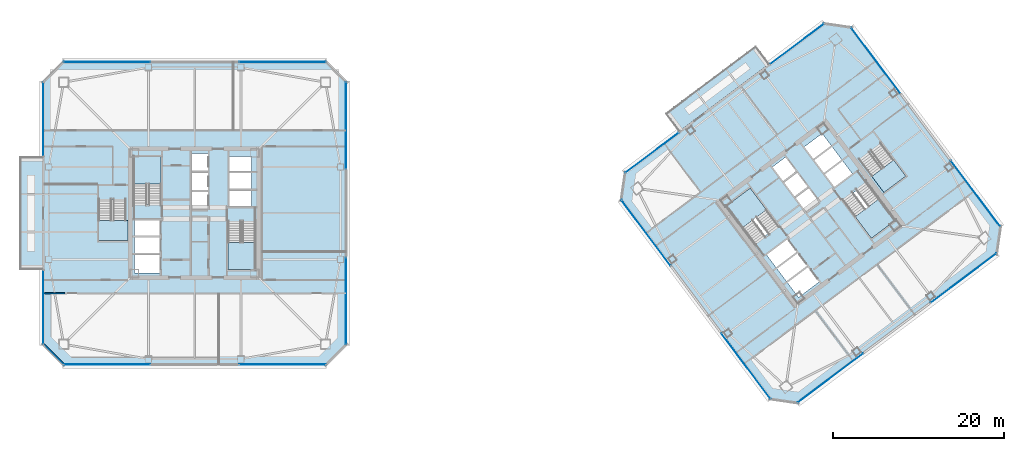
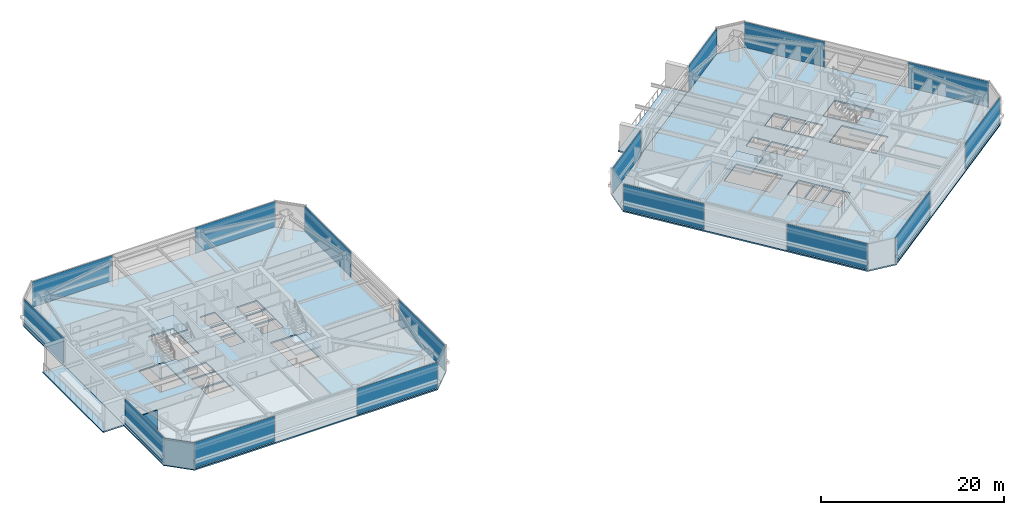
# One storey, part 30 of 41: 16 plates, 10 slabs, 2 walls, 22 elements without a shape of their own.
"""IFC4 building model written with IfcOpenShell, lengths in metres."""

import ifcopenshell
import ifcopenshell.guid

model = None  # the IFC model being written
_history = None  # IfcOwnerHistory: only IFC2X3 demands one
_inside = {}  # id of a spatial element -> (the spatial element, [elements in it])
_under = {}  # id of a project, library or spatial element -> (it, [spatial elements below it])
_declared = {}  # id of a project -> (the project, [libraries it declares])
_typed = {}  # id of a type object -> (the type object, [elements of that type])
_made_of = {}  # id of a material, layer set ... -> (it, [elements and type objects made of it])


def new_model(schema):
    """Start an empty IFC model of exactly this schema.

    Asked for "IFC4X3", IfcOpenShell would pick the latest addendum, in which some entities
    have other attributes; the version numbers below select the first issue.
    IFC2X3 requires an IfcOwnerHistory on every rooted entity: one is made here for all.
    """
    global model, _history
    if schema == "IFC4X3":
        model = ifcopenshell.file(schema_version=(4, 3, 0, 0))
    else:
        model = ifcopenshell.file(schema=schema)
    _inside.clear()
    _under.clear()
    _declared.clear()
    _typed.clear()
    _made_of.clear()
    _history = None
    if model.schema == "IFC2X3":
        org = make("IfcOrganization", Name="unknown")
        user = make(
            "IfcPersonAndOrganization",
            ThePerson=make("IfcPerson", FamilyName="unknown"),
            TheOrganization=org,
        )
        app = make(
            "IfcApplication",
            ApplicationDeveloper=org,
            Version="unknown",
            ApplicationFullName="unknown",
            ApplicationIdentifier="unknown",
        )
        _history = make(
            "IfcOwnerHistory",
            OwningUser=user,
            OwningApplication=app,
            ChangeAction="ADDED",
            CreationDate=0,
        )
    return model


def make(cls, **values):
    """One entity of the class cls with the attributes given. An attribute that is None is left unset."""
    return model.create_entity(
        cls, **{name: value for name, value in values.items() if value is not None}
    )


def rooted(cls, **values):
    """An entity with a GlobalId (a new one), such as an element, a storey or a relation."""
    return make(cls, GlobalId=ifcopenshell.guid.new(), OwnerHistory=_history, **values)


def si_unit(unit_type, name, prefix=None):
    """IfcSIUnit, for example si_unit("LENGTHUNIT", "METRE", prefix="MILLI")."""
    return make("IfcSIUnit", UnitType=unit_type, Prefix=prefix, Name=name)


def assignment(units):
    """IfcUnitAssignment: the units of a project."""
    return None if units is None else make("IfcUnitAssignment", Units=units)


def point(xyz):
    """IfcCartesianPoint."""
    return None if xyz is None else make("IfcCartesianPoint", Coordinates=xyz)


def direction(xyz):
    """IfcDirection."""
    return None if xyz is None else make("IfcDirection", DirectionRatios=xyz)


def frame(location, z_axis=None, x_axis=None):
    """IfcAxis2Placement3D, a coordinate frame: its origin and axes. An axis left out is left unset."""
    return make(
        "IfcAxis2Placement3D",
        Location=point(location),
        Axis=direction(z_axis),
        RefDirection=direction(x_axis),
    )


def frame_2d(location, x_axis=None):
    """IfcAxis2Placement2D, a coordinate frame in the plane: its origin and x axis."""
    return make(
        "IfcAxis2Placement2D", Location=point(location), RefDirection=direction(x_axis)
    )


def origin():
    """The frame at (0, 0, 0) with its axes left unset."""
    return frame((0.0, 0.0, 0.0))


def origin_2d():
    """The frame at (0, 0) in the plane with its x axis left unset."""
    return frame_2d((0.0, 0.0))


def place(relative_to, where):
    """IfcLocalPlacement: puts the frame where relative to a parent placement (None: the world)."""
    return make(
        "IfcLocalPlacement", PlacementRelTo=relative_to, RelativePlacement=where
    )


def context(
    kind, dimensions, precision=None, world=None, true_north=None, identifier=None
):
    """IfcGeometricRepresentationContext, for example the 3D "Model" context."""
    return make(
        "IfcGeometricRepresentationContext",
        ContextIdentifier=identifier,
        ContextType=kind,
        CoordinateSpaceDimension=dimensions,
        Precision=precision,
        WorldCoordinateSystem=world,
        TrueNorth=true_north,
    )


def subcontext(parent, identifier, kind, view, scale=None):
    """IfcGeometricRepresentationSubContext, for example "Body" below "Model"."""
    return make(
        "IfcGeometricRepresentationSubContext",
        ContextIdentifier=identifier,
        ContextType=kind,
        ParentContext=parent,
        TargetScale=scale,
        TargetView=view,
    )


def project(units=None, contexts=None):
    """IfcProject with its units and contexts."""
    return rooted(
        "IfcProject",
        Name="project",
        RepresentationContexts=contexts,
        UnitsInContext=assignment(units),
    )


def spatial(cls, under=None, at=None, **own):
    """A site, building, storey or space (cls), placed at a placement, below another one or the project."""
    s = rooted(cls, ObjectPlacement=at, **own)
    if under is not None:
        _under.setdefault(under.id(), (under, []))[1].append(s)
    return s


def polyline(points):
    """IfcPolyline through the points."""
    return make("IfcPolyline", Points=[point(p) for p in points])


def profile(cls, at=None, kind="AREA", **sizes):
    """A parametric profile (cls). Its sizes go by their IFC names, for example OverallWidth=200.0."""
    return make(cls, ProfileType=kind, Position=at, **sizes)


def rectangle(**sizes):
    """IfcRectangleProfileDef."""
    return profile("IfcRectangleProfileDef", **sizes)


def outline(outer, holes=None, kind="AREA"):
    """IfcArbitraryClosedProfileDef: a profile drawn as a closed curve; with holes, ...WithVoids."""
    if holes is None:
        return make("IfcArbitraryClosedProfileDef", ProfileType=kind, OuterCurve=outer)
    return make(
        "IfcArbitraryProfileDefWithVoids",
        ProfileType=kind,
        OuterCurve=outer,
        InnerCurves=holes,
    )


def extrude(swept, where, along, depth):
    """IfcExtrudedAreaSolid: the profile swept, set in the frame where, extruded along a direction by depth."""
    return make(
        "IfcExtrudedAreaSolid",
        SweptArea=swept,
        Position=where,
        ExtrudedDirection=direction(along),
        Depth=depth,
    )


def shape(context_of_items, identifier, shape_type, items):
    """IfcShapeRepresentation: the items that make up one representation, for example the "Body"."""
    return make(
        "IfcShapeRepresentation",
        ContextOfItems=context_of_items,
        RepresentationIdentifier=identifier,
        RepresentationType=shape_type,
        Items=items,
    )


def material(Name=None, Category=None):
    """IfcMaterial."""
    return make("IfcMaterial", Name=Name, Category=Category)


def layer(
    of_material, thickness, ventilated=None, Name=None, Category=None, Priority=None
):
    """IfcMaterialLayer: one layer of a wall or slab, of a material (None: an air gap)."""
    return make(
        "IfcMaterialLayer",
        Material=of_material,
        LayerThickness=thickness,
        IsVentilated=ventilated,
        Name=Name,
        Category=Category,
        Priority=Priority,
    )


def layer_set(layers, Name=None):
    """IfcMaterialLayerSet."""
    return make("IfcMaterialLayerSet", MaterialLayers=layers, LayerSetName=Name)


def made_of(thing, what):
    """Note that an element or type object is made of a material, layer set ...; save() writes the relation."""
    if what is not None:
        _made_of.setdefault(what.id(), (what, []))[1].append(thing)
    return thing


def type_object(cls, material=None, **own):
    """A type object (cls), such as IfcWallType, which elements share."""
    return made_of(rooted(cls, **own), material)


def element(
    cls,
    number,
    at=None,
    inside=None,
    cuts=None,
    type_object=None,
    material=None,
    context=None,
    identifier="Body",
    shape_type=None,
    held_by="IfcProductDefinitionShape",
    body=None,
    shapes=None,
    **own,
):
    """One element of the class cls, such as IfcWall. Its Tag is "e" and its number.

    at: its placement. inside: the storey or other place that contains it. cuts: it is an
    opening in that element (IfcRelVoidsElement). A single representation is given by context,
    identifier, shape_type and body (its items); several are given by shapes. held_by: the class
    of the entity that holds the representations. save() writes the other relations.
    """
    e = rooted(cls, Tag="e%d" % number, ObjectPlacement=at, **own)
    if body is not None:
        shapes = [shape(context, identifier, shape_type, body)]
    if shapes is not None:
        e.Representation = make(held_by, Representations=shapes)
    if inside is not None:
        _inside.setdefault(inside.id(), (inside, []))[1].append(e)
    if cuts is not None:
        rooted(
            "IfcRelVoidsElement", RelatingBuildingElement=cuts, RelatedOpeningElement=e
        )
    if type_object is not None:
        _typed.setdefault(type_object.id(), (type_object, []))[1].append(e)
    return made_of(e, material)


def aggregate(whole, parts):
    """IfcRelAggregates: a whole, such as a stair, and the parts it consists of."""
    return rooted("IfcRelAggregates", RelatingObject=whole, RelatedObjects=parts)


def save(model, path):
    """Write the relations noted so far, then the file.

    IfcRelAggregates (storeys below a building ...), IfcRelContainedInSpatialStructure (elements
    in a storey), IfcRelDefinesByType, IfcRelAssociatesMaterial and IfcRelDeclares: one each for
    every whole, place, type object, material and project.
    """
    for whole, parts in _under.values():
        aggregate(whole, parts)
    for where, things in _inside.values():
        rooted(
            "IfcRelContainedInSpatialStructure",
            RelatedElements=things,
            RelatingStructure=where,
        )
    for kind, things in _typed.values():
        rooted("IfcRelDefinesByType", RelatedObjects=things, RelatingType=kind)
    for what, things in _made_of.values():
        rooted("IfcRelAssociatesMaterial", RelatedObjects=things, RelatingMaterial=what)
    for by, libraries in _declared.values():
        rooted("IfcRelDeclares", RelatingContext=by, RelatedDefinitions=libraries)
    model.write(path)


model = new_model("IFC4")

# Units and contexts
model_context = context("Model", 3, precision=1e-05, world=origin(), true_north=direction((0.0, 1.0)))
body_context = subcontext(model_context, "Body", "Model", "MODEL_VIEW")
ifc_project = project(units=[si_unit("LENGTHUNIT", "METRE"), si_unit("AREAUNIT", "SQUARE_METRE"), si_unit("VOLUMEUNIT", "CUBIC_METRE"), si_unit("PLANEANGLEUNIT", "RADIAN"), si_unit("MASSUNIT", "GRAM", prefix="KILO")], contexts=[model_context])

# Site, building, storey
site_placement = place(None, origin())
site = spatial("IfcSite", under=ifc_project, at=site_placement, CompositionType="ELEMENT")
building_placement = place(site_placement, origin())
building = spatial("IfcBuilding", under=site, at=building_placement, Name="Tashvorn Skyway Center", CompositionType="ELEMENT")
storey_placement = place(building_placement, frame((0.0, 0.0, 192.5)))
storey = spatial("IfcBuildingStorey", under=building, at=storey_placement, Name="L52", CompositionType="ELEMENT", Elevation=192.5)

# Curtain wall, plate
ifc_material_1 = material(Name="Thermally broken bronze-anodized aluminium 6063-T6", Category="aluminium")
curtain_wall_type = type_object("IfcCurtainWallType", Name="CW-CW-Z4", PredefinedType="NOTDEFINED", material=ifc_material_1)
curtain_wall_1_placement = place(storey_placement, origin())
curtain_wall_1 = element("IfcCurtainWall", 1, at=curtain_wall_1_placement, inside=storey, type_object=curtain_wall_type, Name="Tower 1 L52 South Unitised Curtain Wall Glazing Group 1", PredefinedType="NOTDEFINED")
ifc_material_2 = material(Name="Low-E solar-control double insulating safety glass", Category="glass")
ifc_layer_1 = layer(ifc_material_2, 0.035888671875)
ifc_layer_set_1 = layer_set([ifc_layer_1], Name="Low-E solar-control double insulating safety glass")
plate_type = type_object("IfcPlateType", Name="CWP-CW-Z4", PredefinedType="CURTAIN_PANEL", material=ifc_layer_set_1)
plate_1_placement = place(storey_placement, frame((52.25341796875, 14.320068359375, 0.06982421875), z_axis=(0.0, 0.0, 1.0), x_axis=(-1.0, 0.0, 0.0)))
plate_1 = element("IfcPlate", 2, at=plate_1_placement, type_object=plate_type, Name="CW-Z4 panel 1.1", PredefinedType="CURTAIN_PANEL", context=body_context, shape_type="SweptSolid", body=[
    extrude(rectangle(XDim=10.11328125, YDim=0.035888671875, at=origin_2d()), origin(), (0.0, 0.0, 1.0), 3.409912109375),
])
aggregate(curtain_wall_1, [plate_1])

curtain_wall_2_placement = place(storey_placement, origin())
curtain_wall_2 = element("IfcCurtainWall", 3, at=curtain_wall_2_placement, inside=storey, type_object=curtain_wall_type, Name="Tower 1 L52 South Unitised Curtain Wall Glazing Group 2", PredefinedType="NOTDEFINED")
plate_2_placement = place(storey_placement, frame((31.74658203125, 14.320068359375, 0.06982421875), z_axis=(0.0, 0.0, 1.0), x_axis=(-1.0, 0.0, 0.0)))
plate_2 = element("IfcPlate", 4, at=plate_2_placement, type_object=plate_type, Name="CW-Z4 panel 1.1", PredefinedType="CURTAIN_PANEL", context=body_context, shape_type="SweptSolid", body=[
    extrude(rectangle(XDim=10.11328125, YDim=0.035888671875, at=origin_2d()), origin(), (0.0, 0.0, 1.0), 3.409912109375),
])
aggregate(curtain_wall_2, [plate_2])

curtain_wall_3_placement = place(storey_placement, origin())
curtain_wall_3 = element("IfcCurtainWall", 5, at=curtain_wall_3_placement, inside=storey, type_object=curtain_wall_type, Name="Tower 1 L52 West Curtain Wall L", PredefinedType="NOTDEFINED")
plate_3_placement = place(storey_placement, frame((24.320068359375, 21.010009765625, 0.06982421875), z_axis=(0.0, 0.0, 1.0), x_axis=(0.0, 1.0, 0.0)))
plate_3 = element("IfcPlate", 6, at=plate_3_placement, type_object=plate_type, Name="CW-Z4 panel 1.1", PredefinedType="CURTAIN_PANEL", context=body_context, shape_type="SweptSolid", body=[
    extrude(rectangle(XDim=8.639892578125, YDim=0.035888671875, at=origin_2d()), origin(), (0.0, 0.0, 1.0), 3.409912109375),
])
aggregate(curtain_wall_3, [plate_3])

curtain_wall_4_placement = place(storey_placement, origin())
curtain_wall_4 = element("IfcCurtainWall", 7, at=curtain_wall_4_placement, inside=storey, type_object=curtain_wall_type, Name="Tower 1 L52 West Curtain Wall R", PredefinedType="NOTDEFINED")
plate_4_placement = place(storey_placement, frame((24.320068359375, 42.989990234375, 0.06982421875), z_axis=(0.0, 0.0, 1.0), x_axis=(0.0, 1.0, 0.0)))
plate_4 = element("IfcPlate", 8, at=plate_4_placement, type_object=plate_type, Name="CW-Z4 panel 1.1", PredefinedType="CURTAIN_PANEL", context=body_context, shape_type="SweptSolid", body=[
    extrude(rectangle(XDim=8.639892578125, YDim=0.035888671875, at=origin_2d()), origin(), (0.0, 0.0, 1.0), 3.409912109375),
])
aggregate(curtain_wall_4, [plate_4])

curtain_wall_5_placement = place(storey_placement, origin())
curtain_wall_5 = element("IfcCurtainWall", 9, at=curtain_wall_5_placement, inside=storey, type_object=curtain_wall_type, Name="Tower 1 L52 North Unitised Curtain Wall Glazing Group 1", PredefinedType="NOTDEFINED")
plate_5_placement = place(storey_placement, frame((31.74658203125, 49.679931640625, 0.06982421875), z_axis=(0.0, 0.0, 1.0), x_axis=(1.0, 0.0, 0.0)))
plate_5 = element("IfcPlate", 10, at=plate_5_placement, type_object=plate_type, Name="CW-Z4 panel 1.1", PredefinedType="CURTAIN_PANEL", context=body_context, shape_type="SweptSolid", body=[
    extrude(rectangle(XDim=10.11328125, YDim=0.035888671875, at=origin_2d()), origin(), (0.0, 0.0, 1.0), 3.409912109375),
])
aggregate(curtain_wall_5, [plate_5])

curtain_wall_6_placement = place(storey_placement, origin())
curtain_wall_6 = element("IfcCurtainWall", 11, at=curtain_wall_6_placement, inside=storey, type_object=curtain_wall_type, Name="Tower 1 L52 North Unitised Curtain Wall Glazing Group 2", PredefinedType="NOTDEFINED")
plate_6_placement = place(storey_placement, frame((52.25341796875, 49.679931640625, 0.06982421875), z_axis=(0.0, 0.0, 1.0), x_axis=(1.0, 0.0, 0.0)))
plate_6 = element("IfcPlate", 12, at=plate_6_placement, type_object=plate_type, Name="CW-Z4 panel 1.1", PredefinedType="CURTAIN_PANEL", context=body_context, shape_type="SweptSolid", body=[
    extrude(rectangle(XDim=10.11328125, YDim=0.035888671875, at=origin_2d()), origin(), (0.0, 0.0, 1.0), 3.409912109375),
])
aggregate(curtain_wall_6, [plate_6])

curtain_wall_7_placement = place(storey_placement, origin())
curtain_wall_7 = element("IfcCurtainWall", 13, at=curtain_wall_7_placement, inside=storey, type_object=curtain_wall_type, Name="Tower 1 L52 East Unitised Curtain Wall Glazing Group 1", PredefinedType="NOTDEFINED")
plate_7_placement = place(storey_placement, frame((59.679931640625, 42.25341796875, 0.06982421875), z_axis=(0.0, 0.0, 1.0), x_axis=(0.0, -1.0, 0.0)))
plate_7 = element("IfcPlate", 14, at=plate_7_placement, type_object=plate_type, Name="CW-Z4 panel 1.1", PredefinedType="CURTAIN_PANEL", context=body_context, shape_type="SweptSolid", body=[
    extrude(rectangle(XDim=10.11328125, YDim=0.035888671875, at=origin_2d()), origin(), (0.0, 0.0, 1.0), 3.409912109375),
])
aggregate(curtain_wall_7, [plate_7])

curtain_wall_8_placement = place(storey_placement, origin())
curtain_wall_8 = element("IfcCurtainWall", 15, at=curtain_wall_8_placement, inside=storey, type_object=curtain_wall_type, Name="Tower 1 L52 East Unitised Curtain Wall Glazing Group 2", PredefinedType="NOTDEFINED")
plate_8_placement = place(storey_placement, frame((59.679931640625, 21.74658203125, 0.06982421875), z_axis=(0.0, 0.0, 1.0), x_axis=(0.0, -1.0, 0.0)))
plate_8 = element("IfcPlate", 16, at=plate_8_placement, type_object=plate_type, Name="CW-Z4 panel 1.1", PredefinedType="CURTAIN_PANEL", context=body_context, shape_type="SweptSolid", body=[
    extrude(rectangle(XDim=10.11328125, YDim=0.035888671875, at=origin_2d()), origin(), (0.0, 0.0, 1.0), 3.409912109375),
])
aggregate(curtain_wall_8, [plate_8])

curtain_wall_9_placement = place(storey_placement, origin())
curtain_wall_9 = element("IfcCurtainWall", 17, at=curtain_wall_9_placement, inside=storey, type_object=curtain_wall_type, Name="Tower 2 L52 South Unitised Curtain Wall Glazing Group 1", PredefinedType="NOTDEFINED")
plate_9_placement = place(storey_placement, frame((131.843994140625, 24.407958984375, 0.06982421875), z_axis=(0.0, 0.0, 1.0), x_axis=(-0.799999999998, -0.600000000002, 0.0)))
plate_9 = element("IfcPlate", 18, at=plate_9_placement, type_object=plate_type, Name="CW-Z4 panel 1.1", PredefinedType="CURTAIN_PANEL", context=body_context, shape_type="SweptSolid", body=[
    extrude(rectangle(XDim=9.580078125, YDim=0.035888671875, at=origin_2d()), origin(), (0.0, 0.0, 1.0), 3.409912109375),
])
aggregate(curtain_wall_9, [plate_9])

curtain_wall_10_placement = place(storey_placement, origin())
curtain_wall_10 = element("IfcCurtainWall", 19, at=curtain_wall_10_placement, inside=storey, type_object=curtain_wall_type, Name="Tower 2 L52 South Unitised Curtain Wall Glazing Group 2", PredefinedType="NOTDEFINED")
plate_10_placement = place(storey_placement, frame((116.2919921875, 12.743896484375, 0.06982421875), z_axis=(0.0, 0.0, 1.0), x_axis=(-0.799999999998, -0.600000000002, 0.0)))
plate_10 = element("IfcPlate", 20, at=plate_10_placement, type_object=plate_type, Name="CW-Z4 panel 1.1", PredefinedType="CURTAIN_PANEL", context=body_context, shape_type="SweptSolid", body=[
    extrude(rectangle(XDim=9.580078125, YDim=0.035888671875, at=origin_2d()), origin(), (0.0, 0.0, 1.0), 3.409912109375),
])
aggregate(curtain_wall_10, [plate_10])

curtain_wall_11_placement = place(storey_placement, origin())
curtain_wall_11 = element("IfcCurtainWall", 21, at=curtain_wall_11_placement, inside=storey, type_object=curtain_wall_type, Name="Tower 2 L52 West Unitised Curtain Wall Glazing Group 1", PredefinedType="NOTDEFINED")
plate_11_placement = place(storey_placement, frame((106.407958984375, 14.156005859375, 0.06982421875), z_axis=(0.0, 0.0, 1.0), x_axis=(-0.600000000002, 0.799999999998, 0.0)))
plate_11 = element("IfcPlate", 22, at=plate_11_placement, type_object=plate_type, Name="CW-Z4 panel 1.1", PredefinedType="CURTAIN_PANEL", context=body_context, shape_type="SweptSolid", body=[
    extrude(rectangle(XDim=9.580078125, YDim=0.035888671875, at=origin_2d()), origin(), (0.0, 0.0, 1.0), 3.409912109375),
])
aggregate(curtain_wall_11, [plate_11])

curtain_wall_12_placement = place(storey_placement, origin())
curtain_wall_12 = element("IfcCurtainWall", 23, at=curtain_wall_12_placement, inside=storey, type_object=curtain_wall_type, Name="Tower 2 L52 West Unitised Curtain Wall Glazing Group 2", PredefinedType="NOTDEFINED")
plate_12_placement = place(storey_placement, frame((94.743896484375, 29.7080078125, 0.06982421875), z_axis=(0.0, 0.0, 1.0), x_axis=(-0.600000000002, 0.799999999998, 0.0)))
plate_12 = element("IfcPlate", 24, at=plate_12_placement, type_object=plate_type, Name="CW-Z4 panel 1.1", PredefinedType="CURTAIN_PANEL", context=body_context, shape_type="SweptSolid", body=[
    extrude(rectangle(XDim=9.580078125, YDim=0.035888671875, at=origin_2d()), origin(), (0.0, 0.0, 1.0), 3.409912109375),
])
aggregate(curtain_wall_12, [plate_12])

curtain_wall_13_placement = place(storey_placement, origin())
curtain_wall_13 = element("IfcCurtainWall", 25, at=curtain_wall_13_placement, inside=storey, type_object=curtain_wall_type, Name="Tower 2 L52 North Curtain Wall L", PredefinedType="NOTDEFINED")
plate_13_placement = place(storey_placement, frame((95.4599609375, 39.070068359375, 0.06982421875), z_axis=(0.0, 0.0, 1.0), x_axis=(0.799999999998, 0.600000000002, 0.0)))
plate_13 = element("IfcPlate", 26, at=plate_13_placement, type_object=plate_type, Name="CW-Z4 panel 1.1", PredefinedType="CURTAIN_PANEL", context=body_context, shape_type="SweptSolid", body=[
    extrude(rectangle(XDim=7.840087890625, YDim=0.035888671875, at=origin_2d()), origin(), (0.0, 0.0, 1.0), 3.409912109375),
])
aggregate(curtain_wall_13, [plate_13])

curtain_wall_14_placement = place(storey_placement, origin())
curtain_wall_14 = element("IfcCurtainWall", 27, at=curtain_wall_14_placement, inside=storey, type_object=curtain_wall_type, Name="Tower 2 L52 North Curtain Wall R", PredefinedType="NOTDEFINED")
plate_14_placement = place(storey_placement, frame((112.404052734375, 51.778076171875, 0.06982421875), z_axis=(0.0, 0.0, 1.0), x_axis=(0.799999999998, 0.600000000002, 0.0)))
plate_14 = element("IfcPlate", 28, at=plate_14_placement, type_object=plate_type, Name="CW-Z4 panel 1.1", PredefinedType="CURTAIN_PANEL", context=body_context, shape_type="SweptSolid", body=[
    extrude(rectangle(XDim=7.840087890625, YDim=0.035888671875, at=origin_2d()), origin(), (0.0, 0.0, 1.0), 3.409912109375),
])
aggregate(curtain_wall_14, [plate_14])

curtain_wall_15_placement = place(storey_placement, origin())
curtain_wall_15 = element("IfcCurtainWall", 29, at=curtain_wall_15_placement, inside=storey, type_object=curtain_wall_type, Name="Tower 2 L52 East Unitised Curtain Wall Glazing Group 1", PredefinedType="NOTDEFINED")
plate_15_placement = place(storey_placement, frame((121.592041015625, 49.843994140625, 0.06982421875), z_axis=(0.0, 0.0, 1.0), x_axis=(0.600000000002, -0.799999999998, 0.0)))
plate_15 = element("IfcPlate", 30, at=plate_15_placement, type_object=plate_type, Name="CW-Z4 panel 1.1", PredefinedType="CURTAIN_PANEL", context=body_context, shape_type="SweptSolid", body=[
    extrude(rectangle(XDim=9.580078125, YDim=0.035888671875, at=origin_2d()), origin(), (0.0, 0.0, 1.0), 3.409912109375),
])
aggregate(curtain_wall_15, [plate_15])

curtain_wall_16_placement = place(storey_placement, origin())
curtain_wall_16 = element("IfcCurtainWall", 31, at=curtain_wall_16_placement, inside=storey, type_object=curtain_wall_type, Name="Tower 2 L52 East Unitised Curtain Wall Glazing Group 2", PredefinedType="NOTDEFINED")
plate_16_placement = place(storey_placement, frame((133.256103515625, 34.2919921875, 0.06982421875), z_axis=(0.0, 0.0, 1.0), x_axis=(0.600000000002, -0.799999999998, 0.0)))
plate_16 = element("IfcPlate", 32, at=plate_16_placement, type_object=plate_type, Name="CW-Z4 panel 1.1", PredefinedType="CURTAIN_PANEL", context=body_context, shape_type="SweptSolid", body=[
    extrude(rectangle(XDim=9.580078125, YDim=0.035888671875, at=origin_2d()), origin(), (0.0, 0.0, 1.0), 3.409912109375),
])
aggregate(curtain_wall_16, [plate_16])

# Slabs
ifc_material_3 = material(Name="Concrete C40/50", Category="concrete")
ifc_layer_2 = layer(ifc_material_3, 0.179931640625)
ifc_layer_set_2 = layer_set([ifc_layer_2], Name="Concrete C40/50")
slab_type_1 = type_object("IfcSlabType", Name="SLAB-FLR-180", PredefinedType="FLOOR", material=ifc_layer_set_2)
slab_1_placement = place(storey_placement, frame((0.0, 0.0, -0.179931640625)))
element("IfcSlab", 33, at=slab_1_placement, inside=storey, type_object=slab_type_1, Name="Tower 1 L52 Composite Floor Slab", PredefinedType="FLOOR", context=body_context, shape_type="SweptSolid", body=[
    extrude(outline(polyline([(26.699951171875, 14.199951171875), (57.300048828125, 14.199951171875), (59.800048828125, 16.699951171875), (59.800048828125, 47.300048828125), (57.300048828125, 49.800048828125), (26.699951171875, 49.800048828125), (24.199951171875, 47.300048828125), (24.199951171875, 16.699951171875), (26.699951171875, 14.199951171875)]), holes=[polyline([(38.10009765625, 33.080078125), (38.10009765625, 38.60009765625), (34.89990234375, 38.60009765625), (34.89990234375, 33.080078125), (38.10009765625, 33.080078125)]), polyline([(45.89990234375, 30.919921875), (45.89990234375, 25.39990234375), (49.10009765625, 25.39990234375), (49.10009765625, 30.919921875), (45.89990234375, 30.919921875)]), polyline([(30.800048828125, 33.52001953125), (30.800048828125, 28.800048828125), (34.0, 28.800048828125), (34.0, 33.52001953125), (30.800048828125, 33.52001953125)]), polyline([(34.949951171875, 29.35009765625), (37.949951171875, 29.35009765625), (37.949951171875, 31.199951171875), (34.949951171875, 31.199951171875), (34.949951171875, 29.35009765625)]), polyline([(34.949951171875, 27.35009765625), (37.949951171875, 27.35009765625), (37.949951171875, 29.199951171875), (34.949951171875, 29.199951171875), (34.949951171875, 27.35009765625)]), polyline([(34.949951171875, 25.0), (37.949951171875, 25.0), (37.949951171875, 27.14990234375), (34.949951171875, 27.14990234375), (34.949951171875, 25.0)]), polyline([(41.64990234375, 32.449951171875), (43.550048828125, 32.449951171875), (43.550048828125, 34.5), (41.64990234375, 34.5), (41.64990234375, 32.449951171875)]), polyline([(41.64990234375, 34.699951171875), (43.550048828125, 34.699951171875), (43.550048828125, 36.75), (41.64990234375, 36.75), (41.64990234375, 34.699951171875)]), polyline([(41.64990234375, 36.949951171875), (43.550048828125, 36.949951171875), (43.550048828125, 39.0), (41.64990234375, 39.0), (41.64990234375, 36.949951171875)]), polyline([(46.050048828125, 32.800048828125), (48.64990234375, 32.800048828125), (48.64990234375, 34.64990234375), (46.050048828125, 34.64990234375), (46.050048828125, 32.800048828125)]), polyline([(46.050048828125, 34.85009765625), (48.64990234375, 34.85009765625), (48.64990234375, 36.699951171875), (46.050048828125, 36.699951171875), (46.050048828125, 34.85009765625)]), polyline([(46.050048828125, 36.89990234375), (48.64990234375, 36.89990234375), (48.64990234375, 38.64990234375), (46.050048828125, 38.64990234375), (46.050048828125, 36.89990234375)])]), origin(), (0.0, 0.0, 1.0), 0.179931640625),
])
slab_2_placement = place(storey_placement, frame((0.0, 0.0, -0.179931640625)))
element("IfcSlab", 34, at=slab_2_placement, inside=storey, type_object=slab_type_1, Name="Tower 2 L52 Composite Floor Slab", PredefinedType="FLOOR", context=body_context, shape_type="SweptSolid", body=[
    extrude(outline(polyline([(112.5400390625, 9.780029296875), (135.739990234375, 27.179931640625), (136.219970703125, 30.5400390625), (118.820068359375, 53.739990234375), (115.4599609375, 54.219970703125), (92.260009765625, 36.820068359375), (91.780029296875, 33.4599609375), (109.179931640625, 10.260009765625), (112.5400390625, 9.780029296875)]), holes=[polyline([(110.23193359375, 30.52392578125), (106.919921875, 34.93994140625), (104.135986328125, 32.85205078125), (107.447998046875, 28.43603515625), (110.23193359375, 30.52392578125)]), polyline([(117.76806640625, 33.47607421875), (121.080078125, 29.06005859375), (123.864013671875, 31.14794921875), (120.552001953125, 35.56396484375), (117.76806640625, 33.47607421875)]), polyline([(119.7119140625, 38.18408203125), (122.5439453125, 34.407958984375), (125.10400390625, 36.327880859375), (122.27197265625, 40.10400390625), (119.7119140625, 38.18408203125)]), polyline([(109.949951171875, 25.64990234375), (112.35009765625, 27.449951171875), (111.239990234375, 28.929931640625), (108.840087890625, 27.1298828125), (109.949951171875, 25.64990234375)]), polyline([(111.14990234375, 24.050048828125), (113.550048828125, 25.85009765625), (112.43994140625, 27.330078125), (110.0400390625, 25.530029296875), (111.14990234375, 24.050048828125)]), polyline([(112.56005859375, 22.169921875), (114.9599609375, 23.969970703125), (113.669921875, 25.68994140625), (111.27001953125, 23.889892578125), (112.56005859375, 22.169921875)]), polyline([(113.449951171875, 32.14990234375), (114.969970703125, 33.2900390625), (113.739990234375, 34.929931640625), (112.219970703125, 33.7900390625), (113.449951171875, 32.14990234375)]), polyline([(112.10009765625, 33.949951171875), (113.6201171875, 35.090087890625), (112.389892578125, 36.72998046875), (110.8701171875, 35.590087890625), (112.10009765625, 33.949951171875)]), polyline([(110.75, 35.75), (112.27001953125, 36.889892578125), (111.0400390625, 38.530029296875), (109.52001953125, 37.389892578125), (110.75, 35.75)]), polyline([(116.760009765625, 35.070068359375), (118.840087890625, 36.6298828125), (117.72998046875, 38.110107421875), (115.64990234375, 36.550048828125), (116.760009765625, 35.070068359375)]), polyline([(115.530029296875, 36.7099609375), (117.610107421875, 38.27001953125), (116.5, 39.75), (114.419921875, 38.18994140625), (115.530029296875, 36.7099609375)]), polyline([(114.300048828125, 38.35009765625), (116.3798828125, 39.909912109375), (115.330078125, 41.31005859375), (113.25, 39.75), (114.300048828125, 38.35009765625)])]), origin(), (0.0, 0.0, 1.0), 0.179931640625),
])

# Stair, slab
stair_type = type_object("IfcStairType", Name="STAIR-CORE-1500", PredefinedType="HALF_TURN_STAIR", material=ifc_material_3)
stair_1_placement = place(storey_placement, origin())
stair_1 = element("IfcStair", 35, at=stair_1_placement, inside=storey, type_object=stair_type, Name="L52 Tower 1 Exit Stair 1", PredefinedType="HALF_TURN_STAIR")
ifc_layer_3 = layer(ifc_material_3, 0.199951171875)
ifc_layer_set_3 = layer_set([ifc_layer_3], Name="Concrete C40/50")
slab_type_2 = type_object("IfcSlabType", Name="SLAB-LAND-200", PredefinedType="LANDING", material=ifc_layer_set_3)
slab_3_placement = place(storey_placement, frame((0.0, 0.0, 1.574951171875)))
slab_3 = element("IfcSlab", 36, at=slab_3_placement, type_object=slab_type_2, Name="ST-T1-1 landing 1", PredefinedType="LANDING", context=body_context, shape_type="SweptSolid", body=[
    extrude(outline(polyline([(38.10009765625, 35.43994140625), (38.10009765625, 38.60009765625), (34.89990234375, 38.60009765625), (34.89990234375, 35.43994140625), (38.10009765625, 35.43994140625)])), origin(), (0.0, 0.0, 1.0), 0.199951171875),
])
aggregate(stair_1, [slab_3])

stair_2_placement = place(storey_placement, origin())
stair_2 = element("IfcStair", 37, at=stair_2_placement, inside=storey, type_object=stair_type, Name="L52 Tower 1 Exit Stair 2", PredefinedType="HALF_TURN_STAIR")
slab_4_placement = place(storey_placement, frame((0.0, 0.0, 1.574951171875)))
slab_4 = element("IfcSlab", 38, at=slab_4_placement, type_object=slab_type_2, Name="ST-T1-2 landing 1", PredefinedType="LANDING", context=body_context, shape_type="SweptSolid", body=[
    extrude(outline(polyline([(45.89990234375, 28.56005859375), (45.89990234375, 25.39990234375), (49.10009765625, 25.39990234375), (49.10009765625, 28.56005859375), (45.89990234375, 28.56005859375)])), origin(), (0.0, 0.0, 1.0), 0.199951171875),
])
aggregate(stair_2, [slab_4])

stair_3_placement = place(storey_placement, origin())
stair_3 = element("IfcStair", 39, at=stair_3_placement, inside=storey, type_object=stair_type, Name="L52 Tower 2 Exit Stair 1", PredefinedType="HALF_TURN_STAIR")
slab_5_placement = place(storey_placement, frame((0.0, 0.0, 1.574951171875)))
slab_5 = element("IfcSlab", 40, at=slab_5_placement, type_object=slab_type_2, Name="ST-T2-1 landing 1", PredefinedType="LANDING", context=body_context, shape_type="SweptSolid", body=[
    extrude(outline(polyline([(108.82080078125, 32.405517578125), (106.919921875, 34.93994140625), (104.135986328125, 32.85205078125), (106.036865234375, 30.317626953125), (108.82080078125, 32.405517578125)])), origin(), (0.0, 0.0, 1.0), 0.199951171875),
])
aggregate(stair_3, [slab_5])

stair_4_placement = place(storey_placement, origin())
stair_4 = element("IfcStair", 41, at=stair_4_placement, inside=storey, type_object=stair_type, Name="L52 Tower 2 Exit Stair 2", PredefinedType="HALF_TURN_STAIR")
slab_6_placement = place(storey_placement, frame((0.0, 0.0, 1.574951171875)))
slab_6 = element("IfcSlab", 42, at=slab_6_placement, type_object=slab_type_2, Name="ST-T2-2 landing 1", PredefinedType="LANDING", context=body_context, shape_type="SweptSolid", body=[
    extrude(outline(polyline([(119.17919921875, 31.594482421875), (121.080078125, 29.06005859375), (123.864013671875, 31.14794921875), (121.963134765625, 33.682373046875), (119.17919921875, 31.594482421875)])), origin(), (0.0, 0.0, 1.0), 0.199951171875),
])
aggregate(stair_4, [slab_6])

stair_5_placement = place(storey_placement, origin())
stair_5 = element("IfcStair", 43, at=stair_5_placement, inside=storey, type_object=stair_type, Name="L52 Tower 1 Exit Stair 3", PredefinedType="HALF_TURN_STAIR")
slab_7_placement = place(storey_placement, frame((0.0, 0.0, 1.574951171875)))
slab_7 = element("IfcSlab", 44, at=slab_7_placement, type_object=slab_type_2, Name="ST-T1-3 landing 1", PredefinedType="LANDING", context=body_context, shape_type="SweptSolid", body=[
    extrude(outline(polyline([(30.800048828125, 31.159912109375), (30.800048828125, 28.800048828125), (34.199951171875, 28.800048828125), (34.199951171875, 31.159912109375), (30.800048828125, 31.159912109375)])), origin(), (0.0, 0.0, 1.0), 0.199951171875),
])
aggregate(stair_5, [slab_7])

stair_6_placement = place(storey_placement, origin())
stair_6 = element("IfcStair", 45, at=stair_6_placement, inside=storey, type_object=stair_type, Name="L52 Tower 2 Exit Stair 3", PredefinedType="HALF_TURN_STAIR")
slab_8_placement = place(storey_placement, frame((0.0, 0.0, 1.574951171875)))
slab_8 = element("IfcSlab", 46, at=slab_8_placement, type_object=slab_type_2, Name="ST-T2-3 landing 1", PredefinedType="LANDING", context=body_context, shape_type="SweptSolid", body=[
    extrude(outline(polyline([(121.123291015625, 36.302490234375), (122.5439453125, 34.407958984375), (125.10400390625, 36.327880859375), (123.68310546875, 38.222412109375), (121.123291015625, 36.302490234375)])), origin(), (0.0, 0.0, 1.0), 0.199951171875),
])
aggregate(stair_6, [slab_8])

# Slabs
ifc_layer_4 = layer(ifc_material_3, 0.179931640625)
ifc_layer_set_4 = layer_set([ifc_layer_4], Name="Concrete C40/50")
slab_type_3 = type_object("IfcSlabType", Name="SLAB-TERR-200", PredefinedType="FLOOR", material=ifc_layer_set_4)
slab_9_placement = place(storey_placement, frame((0.0, 0.0, -0.179931640625)))
element("IfcSlab", 47, at=slab_9_placement, inside=storey, type_object=slab_type_3, Name="Tower 1 L52 Sky Garden Slab", PredefinedType="FLOOR", context=body_context, shape_type="SweptSolid", body=[
    extrude(outline(polyline([(21.60009765625, 25.39990234375), (24.2099609375, 25.39990234375), (24.2099609375, 38.60009765625), (21.60009765625, 38.60009765625), (21.60009765625, 25.39990234375)])), origin(), (0.0, 0.0, 1.0), 0.179931640625),
])
slab_10_placement = place(storey_placement, frame((0.0, 0.0, -0.179931640625)))
element("IfcSlab", 48, at=slab_10_placement, inside=storey, type_object=slab_type_3, Name="Tower 2 L52 Sky Garden Slab", PredefinedType="FLOOR", context=body_context, shape_type="SweptSolid", body=[
    extrude(outline(polyline([(98.5859375, 41.552001953125), (109.14599609375, 49.471923828125), (107.580078125, 51.56005859375), (97.02001953125, 43.639892578125), (98.5859375, 41.552001953125)])), origin(), (0.0, 0.0, 1.0), 0.179931640625),
])

# Walls
ifc_material_4 = material(Name="Precast concrete C40/50", Category="concrete")
ifc_layer_5 = layer(ifc_material_4, 0.280029296875)
ifc_layer_set_5 = layer_set([ifc_layer_5], Name="Precast concrete C40/50")
wall_type_1 = type_object("IfcWallType", Name="WALL-EXT-280", PredefinedType="SOLIDWALL", material=ifc_layer_set_5)
wall_1_placement = place(storey_placement, frame((26.699951171875, 14.300048828125, 0.0), z_axis=(0.0, 0.0, 1.0), x_axis=(-0.707106781187, 0.707106781187, 0.0)))
element("IfcWall", 49, at=wall_1_placement, inside=storey, type_object=wall_type_1, Name="Tower 1 L52 SW Precast Chamfer Wall", PredefinedType="SOLIDWALL", context=body_context, shape_type="SweptSolid", body=[
    extrude(rectangle(XDim=3.39404296875, YDim=0.280029296875, at=frame_2d((1.697021484375, 0.0))), origin(), (0.0, 0.0, 1.0), 3.3701171875),
])
ifc_material_5 = material(Name="Gypsum board on cold-formed steel stud framing", Category="steel")
ifc_layer_6 = layer(ifc_material_5, 0.135009765625)
ifc_layer_set_6 = layer_set([ifc_layer_6], Name="Gypsum board on cold-formed steel stud framing")
wall_type_2 = type_object("IfcWallType", Name="WALL-PART-135", PredefinedType="PARTITIONING", material=ifc_layer_set_6)
wall_2_placement = place(storey_placement, frame((24.320068359375, 22.64990234375, 0.0), z_axis=(0.0, 0.0, 1.0), x_axis=(1.0, 0.0, 0.0)))
element("IfcWall", 50, at=wall_2_placement, inside=storey, type_object=wall_type_2, Name="Tower 1 L52 South-West Suite North Wall", PredefinedType="PARTITIONING", context=body_context, shape_type="SweptSolid", body=[
    extrude(rectangle(XDim=2.530029296875, YDim=0.135009765625, at=frame_2d((1.26513671875, 0.0))), origin(), (0.0, 0.0, 1.0), 2.722900390625),
])

save(model, "model.ifc")
